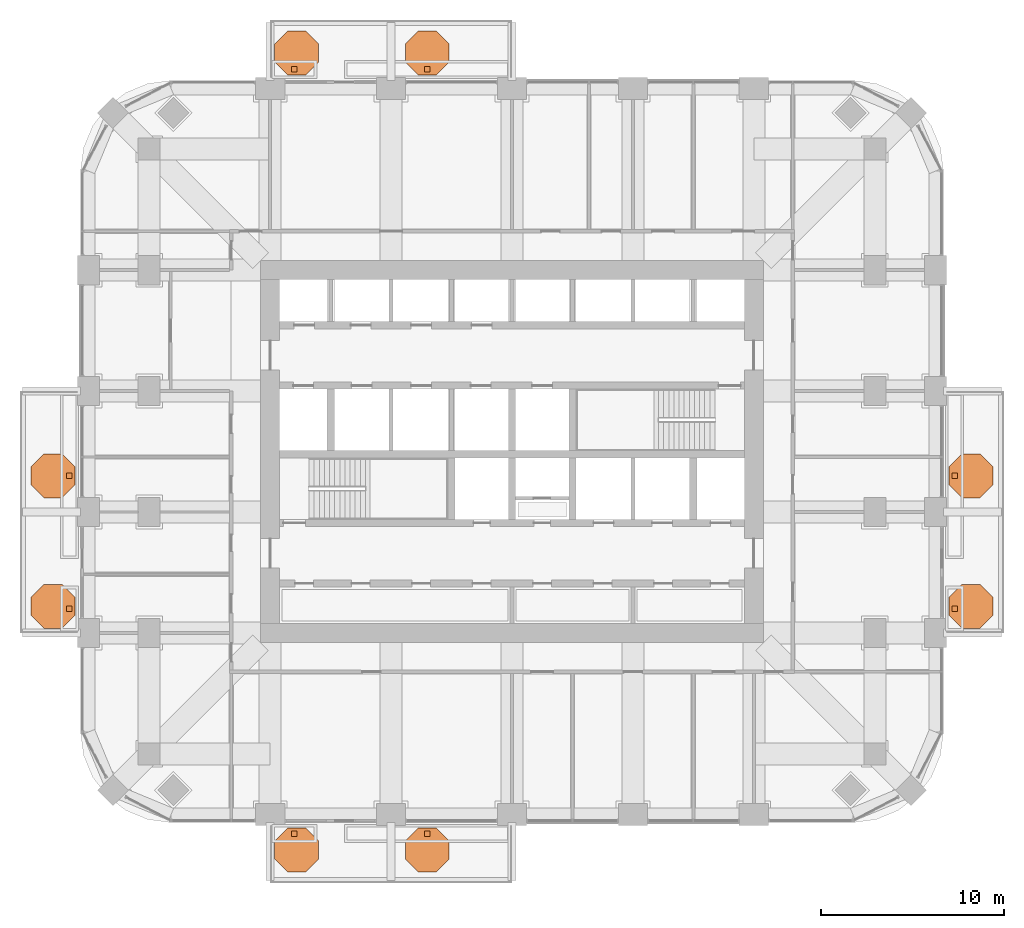
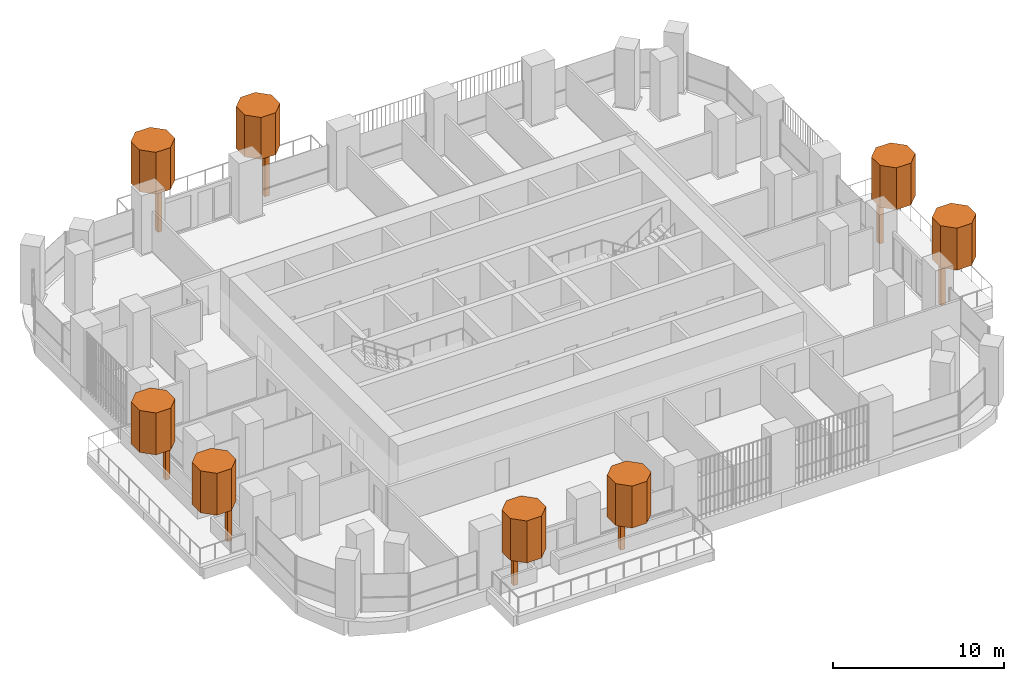
# One storey, part 20 of 20: 16 geographic elements.
"""IFC4 building model written with IfcOpenShell, lengths in metres."""

from ifc_helpers import new_model, si_unit, direction, frame, origin, origin_2d, place, context, subcontext, project, spatial, polyline, rectangle, outline, extrude, material, type_object, element, save


model = new_model("IFC4")

# Units and contexts
model_context = context("Model", 3, precision=1e-05, world=origin(), true_north=direction((0.0, 1.0)))
body_context = subcontext(model_context, "Body", "Model", "MODEL_VIEW")
ifc_project = project(units=[si_unit("LENGTHUNIT", "METRE"), si_unit("AREAUNIT", "SQUARE_METRE"), si_unit("VOLUMEUNIT", "CUBIC_METRE"), si_unit("PLANEANGLEUNIT", "RADIAN"), si_unit("MASSUNIT", "GRAM", prefix="KILO")], contexts=[model_context])

# Site, building, storey
site_placement = place(None, origin())
site = spatial("IfcSite", under=ifc_project, at=site_placement, CompositionType="ELEMENT")
building_placement = place(site_placement, origin())
building = spatial("IfcBuilding", under=site, at=building_placement, Name="Cobogo Forest Laboratory Tower", CompositionType="ELEMENT")
storey_placement = place(building_placement, frame((0.0, 0.0, 168.300048828125)))
storey = spatial("IfcBuildingStorey", under=building, at=storey_placement, Name="L38", CompositionType="ELEMENT", Elevation=168.300048828125)

# Geographic elements
ifc_material = material(Name="Planting", Category="plant")
geographic_element_type_1 = type_object("IfcGeographicElementType", Name="Tree trunk 300", PredefinedType="USERDEFINED", material=ifc_material)
for number, where, z_axis, x_axis, name in (
    (1, (14.52490234375, 2.25, 0.0), (0.0, 0.0, 1.0), (1.0, 0.0, 0.0), "Tree trunk BAL-S1-PL1 L38"),
    (2, (21.77490234375, 2.25, 0.0), (0.0, 0.0, 1.0), (1.0, 0.0, 0.0), "Tree trunk BAL-S1-PL2 L38"),
    (3, (50.550048828125, 14.52490234375, 0.0), (0.0, 0.0, 1.0), (1.0, 0.0, 0.0), "Tree trunk BAL-E1-PL1 L38"),
    (4, (50.550048828125, 21.77490234375, 0.0), (0.0, 0.0, 1.0), (1.0, 0.0, 0.0), "Tree trunk BAL-E1-PL2 L38"),
    (5, (14.52490234375, 43.949951171875, 0.0), (0.0, 0.0, 1.0), (1.0, 0.0, 0.0), "Tree trunk BAL-N1-PL1 L38"),
    (6, (21.77490234375, 43.949951171875, 0.0), (0.0, 0.0, 1.0), (1.0, 0.0, 0.0), "Tree trunk BAL-N1-PL2 L38"),
    (7, (2.25, 14.52490234375, 0.0), (0.0, 0.0, 1.0), (1.0, 0.0, 0.0), "Tree trunk BAL-W1-PL1 L38"),
    (8, (2.25, 21.77490234375, 0.0), (0.0, 0.0, 1.0), (1.0, 0.0, 0.0), "Tree trunk BAL-W1-PL2 L38"),
):
    element("IfcGeographicElement", number, at=place(storey_placement, frame(where, z_axis=z_axis, x_axis=x_axis)), inside=storey, type_object=geographic_element_type_1, Name=name, ObjectType="TREE TRUNK", PredefinedType="USERDEFINED", context=body_context, shape_type="SweptSolid", body=[
        extrude(rectangle(XDim=0.300048828125, YDim=0.300048828125, at=origin_2d()), origin(), (0.0, 0.0, 1.0), 2.89990234375),
    ])
geographic_element_type_2 = type_object("IfcGeographicElementType", Name="Tree, holm oak 5 m", PredefinedType="USERDEFINED", material=ifc_material)
geographic_element_1_placement = place(storey_placement, frame((0.0, 0.0, 2.89990234375)))
element("IfcGeographicElement", 9, at=geographic_element_1_placement, inside=storey, type_object=geographic_element_type_2, Name="Holm tree BAL-S1-PL1 L38", ObjectType="TREE", PredefinedType="USERDEFINED", context=body_context, shape_type="SweptSolid", body=[
    extrude(outline(polyline([(15.85009765625, 0.85302734375), (15.85009765625, 1.84716796875), (15.14697265625, 2.550048828125), (14.15283203125, 2.550048828125), (13.449951171875, 1.84716796875), (13.449951171875, 0.85302734375), (14.15283203125, 0.14990234375), (15.14697265625, 0.14990234375), (15.85009765625, 0.85302734375)])), origin(), (0.0, 0.0, 1.0), 3.0),
])
geographic_element_2_placement = place(storey_placement, frame((0.0, 0.0, 2.89990234375)))
element("IfcGeographicElement", 10, at=geographic_element_2_placement, inside=storey, type_object=geographic_element_type_2, Name="Holm tree BAL-S1-PL2 L38", ObjectType="TREE", PredefinedType="USERDEFINED", context=body_context, shape_type="SweptSolid", body=[
    extrude(outline(polyline([(22.97509765625, 0.85302734375), (22.97509765625, 1.84716796875), (22.27197265625, 2.550048828125), (21.27783203125, 2.550048828125), (20.574951171875, 1.84716796875), (20.574951171875, 0.85302734375), (21.27783203125, 0.14990234375), (22.27197265625, 0.14990234375), (22.97509765625, 0.85302734375)])), origin(), (0.0, 0.0, 1.0), 3.0),
])
geographic_element_3_placement = place(storey_placement, frame((0.0, 0.0, 2.89990234375)))
element("IfcGeographicElement", 11, at=geographic_element_3_placement, inside=storey, type_object=geographic_element_type_2, Name="Holm tree BAL-E1-PL1 L38", ObjectType="TREE", PredefinedType="USERDEFINED", context=body_context, shape_type="SweptSolid", body=[
    extrude(outline(polyline([(52.64990234375, 14.15283203125), (52.64990234375, 15.14697265625), (51.947021484375, 15.85009765625), (50.952880859375, 15.85009765625), (50.25, 15.14697265625), (50.25, 14.15283203125), (50.952880859375, 13.449951171875), (51.947021484375, 13.449951171875), (52.64990234375, 14.15283203125)])), origin(), (0.0, 0.0, 1.0), 3.0),
])
geographic_element_4_placement = place(storey_placement, frame((0.0, 0.0, 2.89990234375)))
element("IfcGeographicElement", 12, at=geographic_element_4_placement, inside=storey, type_object=geographic_element_type_2, Name="Holm tree BAL-E1-PL2 L38", ObjectType="TREE", PredefinedType="USERDEFINED", context=body_context, shape_type="SweptSolid", body=[
    extrude(outline(polyline([(52.64990234375, 21.27783203125), (52.64990234375, 22.27197265625), (51.947021484375, 22.97509765625), (50.952880859375, 22.97509765625), (50.25, 22.27197265625), (50.25, 21.27783203125), (50.952880859375, 20.574951171875), (51.947021484375, 20.574951171875), (52.64990234375, 21.27783203125)])), origin(), (0.0, 0.0, 1.0), 3.0),
])
geographic_element_5_placement = place(storey_placement, frame((0.0, 0.0, 2.89990234375)))
element("IfcGeographicElement", 13, at=geographic_element_5_placement, inside=storey, type_object=geographic_element_type_2, Name="Holm tree BAL-N1-PL1 L38", ObjectType="TREE", PredefinedType="USERDEFINED", context=body_context, shape_type="SweptSolid", body=[
    extrude(outline(polyline([(15.85009765625, 44.35302734375), (15.85009765625, 45.34716796875), (15.14697265625, 46.050048828125), (14.15283203125, 46.050048828125), (13.449951171875, 45.34716796875), (13.449951171875, 44.35302734375), (14.15283203125, 43.64990234375), (15.14697265625, 43.64990234375), (15.85009765625, 44.35302734375)])), origin(), (0.0, 0.0, 1.0), 3.0),
])
geographic_element_6_placement = place(storey_placement, frame((0.0, 0.0, 2.89990234375)))
element("IfcGeographicElement", 14, at=geographic_element_6_placement, inside=storey, type_object=geographic_element_type_2, Name="Holm tree BAL-N1-PL2 L38", ObjectType="TREE", PredefinedType="USERDEFINED", context=body_context, shape_type="SweptSolid", body=[
    extrude(outline(polyline([(22.97509765625, 44.35302734375), (22.97509765625, 45.34716796875), (22.27197265625, 46.050048828125), (21.27783203125, 46.050048828125), (20.574951171875, 45.34716796875), (20.574951171875, 44.35302734375), (21.27783203125, 43.64990234375), (22.27197265625, 43.64990234375), (22.97509765625, 44.35302734375)])), origin(), (0.0, 0.0, 1.0), 3.0),
])
geographic_element_7_placement = place(storey_placement, frame((0.0, 0.0, 2.89990234375)))
element("IfcGeographicElement", 15, at=geographic_element_7_placement, inside=storey, type_object=geographic_element_type_2, Name="Holm tree BAL-W1-PL1 L38", ObjectType="TREE", PredefinedType="USERDEFINED", context=body_context, shape_type="SweptSolid", body=[
    extrude(outline(polyline([(2.550048828125, 14.15283203125), (2.550048828125, 15.14697265625), (1.84716796875, 15.85009765625), (0.85302734375, 15.85009765625), (0.14990234375, 15.14697265625), (0.14990234375, 14.15283203125), (0.85302734375, 13.449951171875), (1.84716796875, 13.449951171875), (2.550048828125, 14.15283203125)])), origin(), (0.0, 0.0, 1.0), 3.0),
])
geographic_element_8_placement = place(storey_placement, frame((0.0, 0.0, 2.89990234375)))
element("IfcGeographicElement", 16, at=geographic_element_8_placement, inside=storey, type_object=geographic_element_type_2, Name="Holm tree BAL-W1-PL2 L38", ObjectType="TREE", PredefinedType="USERDEFINED", context=body_context, shape_type="SweptSolid", body=[
    extrude(outline(polyline([(2.550048828125, 21.27783203125), (2.550048828125, 22.27197265625), (1.84716796875, 22.97509765625), (0.85302734375, 22.97509765625), (0.14990234375, 22.27197265625), (0.14990234375, 21.27783203125), (0.85302734375, 20.574951171875), (1.84716796875, 20.574951171875), (2.550048828125, 21.27783203125)])), origin(), (0.0, 0.0, 1.0), 3.0),
])

save(model, "model.ifc")
